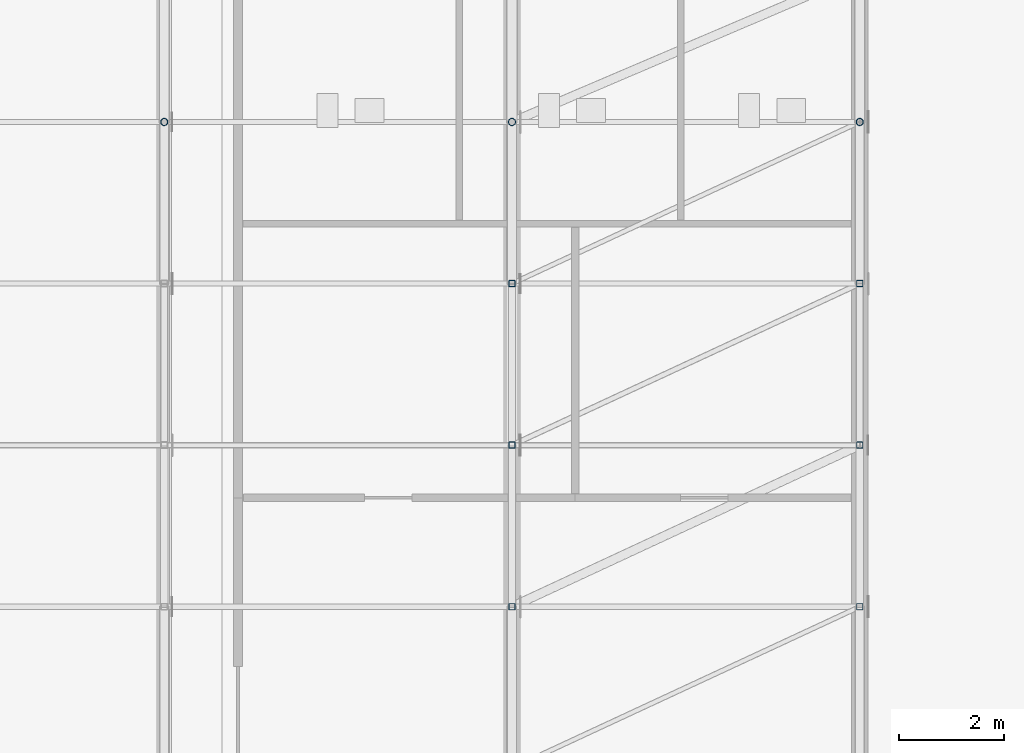
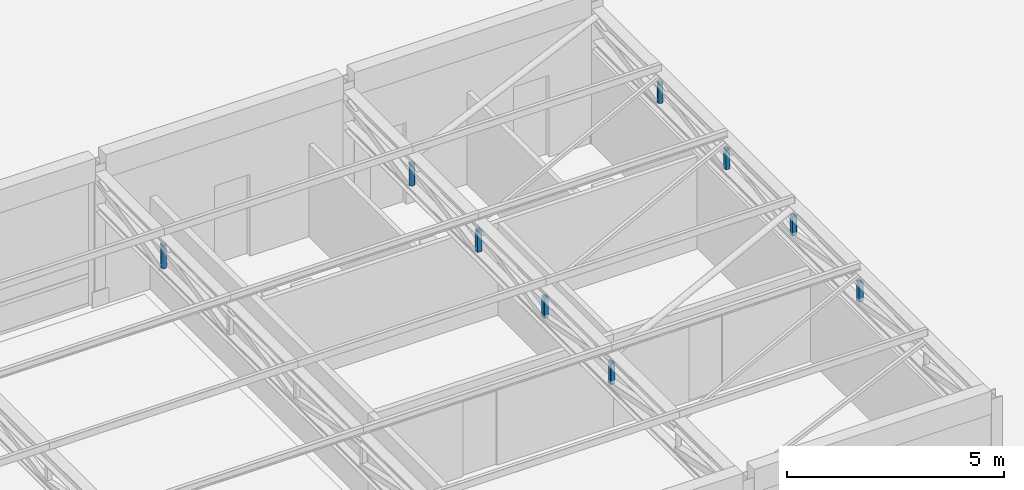
# One storey, part 51 of 92: 9 members.
"""IFC4 building model written with IfcOpenShell, lengths in metres."""

import ifcopenshell
import ifcopenshell.guid

model = None  # the IFC model being written
_history = None  # IfcOwnerHistory: only IFC2X3 demands one
_inside = {}  # id of a spatial element -> (the spatial element, [elements in it])
_under = {}  # id of a project, library or spatial element -> (it, [spatial elements below it])
_declared = {}  # id of a project -> (the project, [libraries it declares])
_typed = {}  # id of a type object -> (the type object, [elements of that type])
_made_of = {}  # id of a material, layer set ... -> (it, [elements and type objects made of it])


def new_model(schema):
    """Start an empty IFC model of exactly this schema.

    Asked for "IFC4X3", IfcOpenShell would pick the latest addendum, in which some entities
    have other attributes; the version numbers below select the first issue.
    IFC2X3 requires an IfcOwnerHistory on every rooted entity: one is made here for all.
    """
    global model, _history
    if schema == "IFC4X3":
        model = ifcopenshell.file(schema_version=(4, 3, 0, 0))
    else:
        model = ifcopenshell.file(schema=schema)
    _inside.clear()
    _under.clear()
    _declared.clear()
    _typed.clear()
    _made_of.clear()
    _history = None
    if model.schema == "IFC2X3":
        org = make("IfcOrganization", Name="unknown")
        user = make(
            "IfcPersonAndOrganization",
            ThePerson=make("IfcPerson", FamilyName="unknown"),
            TheOrganization=org,
        )
        app = make(
            "IfcApplication",
            ApplicationDeveloper=org,
            Version="unknown",
            ApplicationFullName="unknown",
            ApplicationIdentifier="unknown",
        )
        _history = make(
            "IfcOwnerHistory",
            OwningUser=user,
            OwningApplication=app,
            ChangeAction="ADDED",
            CreationDate=0,
        )
    return model


def make(cls, **values):
    """One entity of the class cls with the attributes given. An attribute that is None is left unset."""
    return model.create_entity(
        cls, **{name: value for name, value in values.items() if value is not None}
    )


def rooted(cls, **values):
    """An entity with a GlobalId (a new one), such as an element, a storey or a relation."""
    return make(cls, GlobalId=ifcopenshell.guid.new(), OwnerHistory=_history, **values)


def si_unit(unit_type, name, prefix=None):
    """IfcSIUnit, for example si_unit("LENGTHUNIT", "METRE", prefix="MILLI")."""
    return make("IfcSIUnit", UnitType=unit_type, Prefix=prefix, Name=name)


def assignment(units):
    """IfcUnitAssignment: the units of a project."""
    return None if units is None else make("IfcUnitAssignment", Units=units)


def point(xyz):
    """IfcCartesianPoint."""
    return None if xyz is None else make("IfcCartesianPoint", Coordinates=xyz)


def direction(xyz):
    """IfcDirection."""
    return None if xyz is None else make("IfcDirection", DirectionRatios=xyz)


def frame(location, z_axis=None, x_axis=None):
    """IfcAxis2Placement3D, a coordinate frame: its origin and axes. An axis left out is left unset."""
    return make(
        "IfcAxis2Placement3D",
        Location=point(location),
        Axis=direction(z_axis),
        RefDirection=direction(x_axis),
    )


def frame_2d(location, x_axis=None):
    """IfcAxis2Placement2D, a coordinate frame in the plane: its origin and x axis."""
    return make(
        "IfcAxis2Placement2D", Location=point(location), RefDirection=direction(x_axis)
    )


def origin():
    """The frame at (0, 0, 0) with its axes left unset."""
    return frame((0.0, 0.0, 0.0))


def origin_2d():
    """The frame at (0, 0) in the plane with its x axis left unset."""
    return frame_2d((0.0, 0.0))


def place(relative_to, where):
    """IfcLocalPlacement: puts the frame where relative to a parent placement (None: the world)."""
    return make(
        "IfcLocalPlacement", PlacementRelTo=relative_to, RelativePlacement=where
    )


def context(
    kind, dimensions, precision=None, world=None, true_north=None, identifier=None
):
    """IfcGeometricRepresentationContext, for example the 3D "Model" context."""
    return make(
        "IfcGeometricRepresentationContext",
        ContextIdentifier=identifier,
        ContextType=kind,
        CoordinateSpaceDimension=dimensions,
        Precision=precision,
        WorldCoordinateSystem=world,
        TrueNorth=true_north,
    )


def subcontext(parent, identifier, kind, view, scale=None):
    """IfcGeometricRepresentationSubContext, for example "Body" below "Model"."""
    return make(
        "IfcGeometricRepresentationSubContext",
        ContextIdentifier=identifier,
        ContextType=kind,
        ParentContext=parent,
        TargetScale=scale,
        TargetView=view,
    )


def project(units=None, contexts=None):
    """IfcProject with its units and contexts."""
    return rooted(
        "IfcProject",
        Name="project",
        RepresentationContexts=contexts,
        UnitsInContext=assignment(units),
    )


def spatial(cls, under=None, at=None, **own):
    """A site, building, storey or space (cls), placed at a placement, below another one or the project."""
    s = rooted(cls, ObjectPlacement=at, **own)
    if under is not None:
        _under.setdefault(under.id(), (under, []))[1].append(s)
    return s


def profile(cls, at=None, kind="AREA", **sizes):
    """A parametric profile (cls). Its sizes go by their IFC names, for example OverallWidth=200.0."""
    return make(cls, ProfileType=kind, Position=at, **sizes)


def hollow_rectangle(**sizes):
    """IfcRectangleHollowProfileDef."""
    return profile("IfcRectangleHollowProfileDef", **sizes)


def hollow_circle(**sizes):
    """IfcCircleHollowProfileDef."""
    return profile("IfcCircleHollowProfileDef", **sizes)


def extrude(swept, where, along, depth):
    """IfcExtrudedAreaSolid: the profile swept, set in the frame where, extruded along a direction by depth."""
    return make(
        "IfcExtrudedAreaSolid",
        SweptArea=swept,
        Position=where,
        ExtrudedDirection=direction(along),
        Depth=depth,
    )


def shape(context_of_items, identifier, shape_type, items):
    """IfcShapeRepresentation: the items that make up one representation, for example the "Body"."""
    return make(
        "IfcShapeRepresentation",
        ContextOfItems=context_of_items,
        RepresentationIdentifier=identifier,
        RepresentationType=shape_type,
        Items=items,
    )


def material(Name=None, Category=None):
    """IfcMaterial."""
    return make("IfcMaterial", Name=Name, Category=Category)


def material_profile(
    of_material, cross_section, Name=None, Category=None, Priority=None
):
    """IfcMaterialProfile: a cross section and its material."""
    return make(
        "IfcMaterialProfile",
        Name=Name,
        Material=of_material,
        Profile=cross_section,
        Priority=Priority,
        Category=Category,
    )


def profile_set(profiles, Name=None, composite=None):
    """IfcMaterialProfileSet."""
    return make(
        "IfcMaterialProfileSet",
        Name=Name,
        MaterialProfiles=profiles,
        CompositeProfile=composite,
    )


def made_of(thing, what):
    """Note that an element or type object is made of a material, layer set ...; save() writes the relation."""
    if what is not None:
        _made_of.setdefault(what.id(), (what, []))[1].append(thing)
    return thing


def type_object(cls, material=None, **own):
    """A type object (cls), such as IfcWallType, which elements share."""
    return made_of(rooted(cls, **own), material)


def element(
    cls,
    number,
    at=None,
    inside=None,
    cuts=None,
    type_object=None,
    material=None,
    context=None,
    identifier="Body",
    shape_type=None,
    held_by="IfcProductDefinitionShape",
    body=None,
    shapes=None,
    **own,
):
    """One element of the class cls, such as IfcWall. Its Tag is "e" and its number.

    at: its placement. inside: the storey or other place that contains it. cuts: it is an
    opening in that element (IfcRelVoidsElement). A single representation is given by context,
    identifier, shape_type and body (its items); several are given by shapes. held_by: the class
    of the entity that holds the representations. save() writes the other relations.
    """
    e = rooted(cls, Tag="e%d" % number, ObjectPlacement=at, **own)
    if body is not None:
        shapes = [shape(context, identifier, shape_type, body)]
    if shapes is not None:
        e.Representation = make(held_by, Representations=shapes)
    if inside is not None:
        _inside.setdefault(inside.id(), (inside, []))[1].append(e)
    if cuts is not None:
        rooted(
            "IfcRelVoidsElement", RelatingBuildingElement=cuts, RelatedOpeningElement=e
        )
    if type_object is not None:
        _typed.setdefault(type_object.id(), (type_object, []))[1].append(e)
    return made_of(e, material)


def aggregate(whole, parts):
    """IfcRelAggregates: a whole, such as a stair, and the parts it consists of."""
    return rooted("IfcRelAggregates", RelatingObject=whole, RelatedObjects=parts)


def save(model, path):
    """Write the relations noted so far, then the file.

    IfcRelAggregates (storeys below a building ...), IfcRelContainedInSpatialStructure (elements
    in a storey), IfcRelDefinesByType, IfcRelAssociatesMaterial and IfcRelDeclares: one each for
    every whole, place, type object, material and project.
    """
    for whole, parts in _under.values():
        aggregate(whole, parts)
    for where, things in _inside.values():
        rooted(
            "IfcRelContainedInSpatialStructure",
            RelatedElements=things,
            RelatingStructure=where,
        )
    for kind, things in _typed.values():
        rooted("IfcRelDefinesByType", RelatedObjects=things, RelatingType=kind)
    for what, things in _made_of.values():
        rooted("IfcRelAssociatesMaterial", RelatedObjects=things, RelatingMaterial=what)
    for by, libraries in _declared.values():
        rooted("IfcRelDeclares", RelatingContext=by, RelatedDefinitions=libraries)
    model.write(path)


model = new_model("IFC4")

# Units and contexts
model_context = context("Model", 3, precision=1e-05, world=origin(), true_north=direction((0.0, 1.0)))
body_context = subcontext(model_context, "Body", "Model", "MODEL_VIEW")
ifc_project = project(units=[si_unit("LENGTHUNIT", "METRE"), si_unit("AREAUNIT", "SQUARE_METRE"), si_unit("VOLUMEUNIT", "CUBIC_METRE"), si_unit("PLANEANGLEUNIT", "RADIAN"), si_unit("MASSUNIT", "GRAM", prefix="KILO")], contexts=[model_context])

# Site, building, storey
site_placement = place(None, origin())
site = spatial("IfcSite", under=ifc_project, at=site_placement, CompositionType="ELEMENT")
building_placement = place(site_placement, origin())
building = spatial("IfcBuilding", under=site, at=building_placement, Name="Kernevlak Ridge Housing Community", CompositionType="ELEMENT")
storey_placement = place(building_placement, frame((0.0, 0.0, 4.199951171875)))
storey = spatial("IfcBuildingStorey", under=building, at=storey_placement, Name="L01", CompositionType="ELEMENT", Elevation=4.199951171875)

# Members
ifc_material = material(Name="Steel S355", Category="steel")
ifc_material_profile_1 = material_profile(ifc_material, hollow_rectangle(XDim=0.1201171875, YDim=0.1201171875, WallThickness=0.00634765625, InnerFilletRadius=0.00634765625, OuterFilletRadius=0.009521484375, at=origin_2d()), Name="SHS 120x120x6.3")
ifc_profile_set_1 = profile_set([ifc_material_profile_1], Name="Steel S355")
member_type_1 = type_object("IfcMemberType", Name="BR-05", PredefinedType="BRACE", material=ifc_profile_set_1)
for number, where, z_axis, x_axis, name in (
    (1, (97.199951171875, 55.933349609375, 2.85498046875), (0.0, 0.0, 1.0), (1.0, 0.0, 0.0), "Community Hall roof truss 6 vertical post 2"),
    (2, (97.199951171875, 59.0, 2.85498046875), (0.0, 0.0, 1.0), (1.0, 0.0, 0.0), "Community Hall roof truss 6 vertical post 3"),
    (3, (97.199951171875, 62.066650390625, 2.85498046875), (0.0, 0.0, 1.0), (1.0, 0.0, 0.0), "Community Hall roof truss 6 vertical post 4"),
):
    element("IfcMember", number, at=place(storey_placement, frame(where, z_axis=z_axis, x_axis=x_axis)), inside=storey, type_object=member_type_1, Name=name, PredefinedType="BRACE", context=body_context, shape_type="SweptSolid", body=[
        extrude(hollow_rectangle(XDim=0.1201171875, YDim=0.1201171875, WallThickness=0.00634765625, InnerFilletRadius=0.00634765625, OuterFilletRadius=0.009521484375, at=origin_2d()), origin(), (0.0, 0.0, 1.0), 0.594970703125),
    ])
for number, where, z_axis, x_axis, name in (
    (4, (103.800048828125, 55.933349609375, 2.864990234375), (0.0, 0.0, 1.0), (1.0, 0.0, 0.0), "Community Hall roof truss 7 vertical post 2"),
    (5, (103.800048828125, 59.0, 2.864990234375), (0.0, 0.0, 1.0), (1.0, 0.0, 0.0), "Community Hall roof truss 7 vertical post 3"),
    (6, (103.800048828125, 62.066650390625, 2.864990234375), (0.0, 0.0, 1.0), (1.0, 0.0, 0.0), "Community Hall roof truss 7 vertical post 4"),
):
    element("IfcMember", number, at=place(storey_placement, frame(where, z_axis=z_axis, x_axis=x_axis)), inside=storey, type_object=member_type_1, Name=name, PredefinedType="BRACE", context=body_context, shape_type="SweptSolid", body=[
        extrude(hollow_rectangle(XDim=0.1201171875, YDim=0.1201171875, WallThickness=0.00634765625, InnerFilletRadius=0.00634765625, OuterFilletRadius=0.009521484375, at=origin_2d()), origin(), (0.0, 0.0, 1.0), 0.545166015625),
    ])
ifc_material_profile_2 = material_profile(ifc_material, hollow_circle(Radius=0.06982421875, WallThickness=0.008056640625, at=origin_2d()), Name="CHS 139.7x8")
ifc_profile_set_2 = profile_set([ifc_material_profile_2], Name="Steel S355")
member_type_2 = type_object("IfcMemberType", Name="BR-09", PredefinedType="BRACE", material=ifc_profile_set_2)
member_1_placement = place(storey_placement, frame((90.60009765625, 65.13330078125, 2.844970703125), z_axis=(0.0, 0.0, 1.0), x_axis=(1.0, 0.0, 0.0)))
element("IfcMember", 7, at=member_1_placement, inside=storey, type_object=member_type_2, Name="Community Hall roof truss 5 vertical post 5", PredefinedType="BRACE", context=body_context, shape_type="SweptSolid", body=[
    extrude(hollow_circle(Radius=0.06982421875, WallThickness=0.008056640625, at=origin_2d()), origin(), (0.0, 0.0, 1.0), 0.64501953125),
])
member_2_placement = place(storey_placement, frame((97.199951171875, 65.13330078125, 2.85498046875), z_axis=(0.0, 0.0, 1.0), x_axis=(1.0, 0.0, 0.0)))
element("IfcMember", 8, at=member_2_placement, inside=storey, type_object=member_type_2, Name="Community Hall roof truss 6 vertical post 5", PredefinedType="BRACE", context=body_context, shape_type="SweptSolid", body=[
    extrude(hollow_circle(Radius=0.06982421875, WallThickness=0.008056640625, at=origin_2d()), origin(), (0.0, 0.0, 1.0), 0.594970703125),
])
member_3_placement = place(storey_placement, frame((103.800048828125, 65.13330078125, 2.864990234375), z_axis=(0.0, 0.0, 1.0), x_axis=(1.0, 0.0, 0.0)))
element("IfcMember", 9, at=member_3_placement, inside=storey, type_object=member_type_2, Name="Community Hall roof truss 7 vertical post 5", PredefinedType="BRACE", context=body_context, shape_type="SweptSolid", body=[
    extrude(hollow_circle(Radius=0.06982421875, WallThickness=0.008056640625, at=origin_2d()), origin(), (0.0, 0.0, 1.0), 0.545166015625),
])

save(model, "model.ifc")
